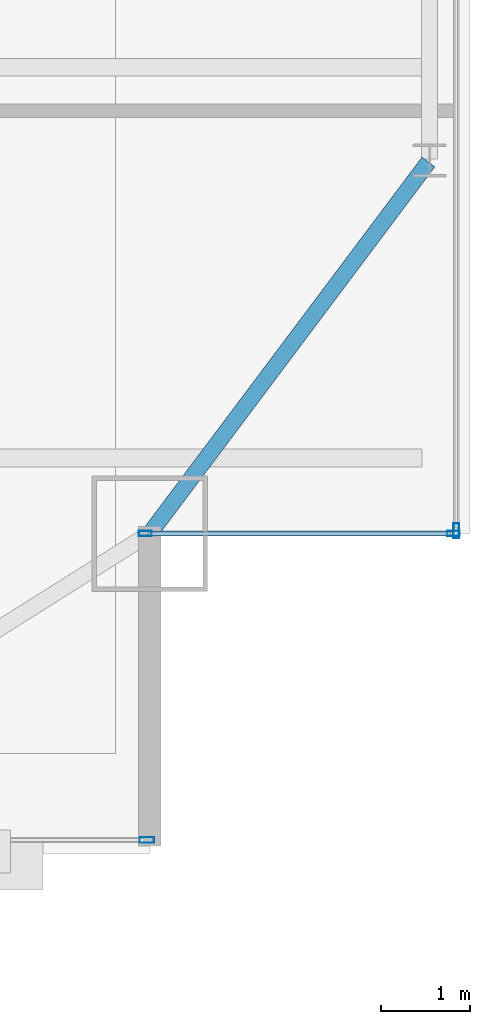
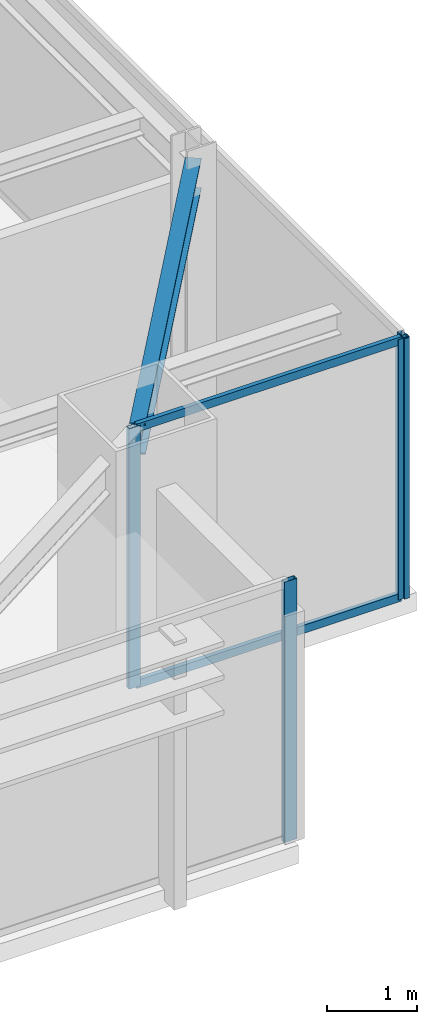
# One storey, part 15 of 30: 6 members, 1 beam, 3 elements without a shape of their own.
"""IFC4 building model written with IfcOpenShell, lengths in metres."""

from ifc_helpers import new_model, si_unit, direction, frame, origin, origin_2d, place, context, subcontext, project, spatial, hollow_rectangle, i_section, extrude, source, transform, mapped, material, layer, layer_set, material_profile, profile_set, type_object, type_shapes, element, aggregate, save


model = new_model("IFC4")

# Units and contexts
model_context = context("Model", 3, precision=1e-05, world=origin(), true_north=direction((0.0, 1.0)))
body_context = subcontext(model_context, "Body", "Model", "MODEL_VIEW")
ifc_project = project(units=[si_unit("LENGTHUNIT", "METRE"), si_unit("AREAUNIT", "SQUARE_METRE"), si_unit("VOLUMEUNIT", "CUBIC_METRE"), si_unit("PLANEANGLEUNIT", "RADIAN"), si_unit("MASSUNIT", "GRAM", prefix="KILO")], contexts=[model_context])

# Site, building, storey
site_placement = place(None, origin())
site = spatial("IfcSite", under=ifc_project, at=site_placement, CompositionType="ELEMENT")
building_placement = place(site_placement, origin())
building = spatial("IfcBuilding", under=site, at=building_placement, Name="Varnel Quay Broadcast Tower", CompositionType="ELEMENT")
storey_placement = place(building_placement, frame((0.0, 0.0, 168.60009765625)))
storey = spatial("IfcBuildingStorey", under=building, at=storey_placement, Name="L41", CompositionType="ELEMENT", Elevation=168.60009765625)

# Beam
ifc_material_1 = material(Name="Structural Steel CSA G40.21 350W", Category="steel")
ifc_material_profile_1 = material_profile(ifc_material_1, i_section(OverallWidth=0.180908203125, OverallDepth=0.4169921875, WebThickness=0.010986328125, FlangeThickness=0.018310546875, FilletRadius=0.011962890625, at=origin_2d()), Name="W410X85")
ifc_profile_set_1 = profile_set([ifc_material_profile_1], Name="Structural Steel CSA G40.21 350W")
beam_type = type_object("IfcBeamType", Name="Beam_W410X85", PredefinedType="SPANDREL", material=ifc_profile_set_1)
shared_shape_1 = source(origin(), body_context, "Body", "SweptSolid", [
    extrude(i_section(OverallWidth=0.180908203125, OverallDepth=0.4169921875, WebThickness=0.010986328125, FlangeThickness=0.018310546875, FilletRadius=0.011962890625, at=origin_2d()), origin(), (0.0, 0.0, 1.0), 5.2099609375),
])
type_shapes(beam_type, [shared_shape_1])
beam_placement = place(storey_placement, frame((57.412109375, 10.81591796875, 3.34130859375), z_axis=(0.6, 0.8, 0.0), x_axis=(-0.8, 0.6, 0.0)))
element("IfcBeam", 1, at=beam_placement, inside=storey, type_object=beam_type, Name="L41 East Spandrel MC-SE-TC-E1", PredefinedType="SPANDREL", context=body_context, shape_type="MappedRepresentation", body=[
    mapped(shared_shape_1, transform((0.0, 0.0, 0.0), x_axis=(1.0, 0.0, 0.0), y_axis=(0.0, 1.0, 0.0), z_axis=(0.0, 0.0, 1.0), scale=1.0)),
])

# Curtain wall, members
ifc_material_2 = material(Name="Anodised Bronze Aluminium 6063-T6", Category="aluminium")
ifc_layer_1 = layer(ifc_material_2, 0.18994140625, Name="Anodised Bronze Aluminium 6063-T6")
ifc_layer_set_1 = layer_set([ifc_layer_1], Name="Anodised Bronze Aluminium 6063-T6")
curtain_wall_type_1 = type_object("IfcCurtainWallType", Name="CW_NotchCorner", PredefinedType="NOTDEFINED", material=ifc_layer_set_1)
curtain_wall_1_placement = place(storey_placement, origin())
curtain_wall_1 = element("IfcCurtainWall", 2, at=curtain_wall_1_placement, inside=storey, type_object=curtain_wall_type_1, Name="L41 SE Notch Curtain Wall", PredefinedType="NOTDEFINED")
ifc_material_profile_2 = material_profile(ifc_material_2, hollow_rectangle(XDim=0.054931640625, YDim=0.110107421875, WallThickness=0.0029296875, at=origin_2d()), Name="ALU55X110X3")
ifc_profile_set_2 = profile_set([ifc_material_profile_2], Name="Anodised Bronze Aluminium 6063-T6")
member_type_1 = type_object("IfcMemberType", Name="Tran_CWS-04", PredefinedType="USERDEFINED", material=ifc_profile_set_2)
shared_shape_2 = source(origin(), body_context, "Body", "SweptSolid", [
    extrude(hollow_rectangle(XDim=0.054931640625, YDim=0.110107421875, WallThickness=0.0029296875, at=origin_2d()), origin(), (0.0, 0.0, 1.0), 3.41015625),
])
type_shapes(member_type_1, [shared_shape_2])
member_1_placement = place(storey_placement, frame((57.3798828125, 10.800048828125, 0.02734375), z_axis=(1.0, 0.0, 0.0), x_axis=(0.0, 1.0, 0.0)))
member_1 = element("IfcMember", 3, at=member_1_placement, type_object=member_type_1, Name="CWS-04 transom 1.1", ObjectType="TRANSOM", PredefinedType="USERDEFINED", context=body_context, shape_type="MappedRepresentation", body=[
    mapped(shared_shape_2, transform((0.0, 0.0, 0.0), x_axis=(1.0, 0.0, 0.0), y_axis=(0.0, 1.0, 0.0), z_axis=(0.0, 0.0, 1.0), scale=1.0)),
])
member_2_placement = place(storey_placement, frame((57.3798828125, 10.800048828125, 3.5224609375), z_axis=(1.0, 0.0, 0.0), x_axis=(0.0, 1.0, 0.0)))
member_2 = element("IfcMember", 4, at=member_2_placement, type_object=member_type_1, Name="CWS-04 transom 1.2", ObjectType="TRANSOM", PredefinedType="USERDEFINED", context=body_context, shape_type="MappedRepresentation", body=[
    mapped(shared_shape_2, transform((0.0, 0.0, 0.0), x_axis=(1.0, 0.0, 0.0), y_axis=(0.0, 1.0, 0.0), z_axis=(0.0, 0.0, 1.0), scale=1.0)),
])
ifc_material_profile_3 = material_profile(ifc_material_2, hollow_rectangle(XDim=0.06005859375, YDim=0.14501953125, WallThickness=0.00341796875, at=origin_2d()), Name="ALU60X145X3.5")
ifc_profile_set_3 = profile_set([ifc_material_profile_3], Name="Anodised Bronze Aluminium 6063-T6")
member_type_2 = type_object("IfcMemberType", Name="Mull_CWS-04", PredefinedType="MULLION", material=ifc_profile_set_3)
shared_shape_3 = source(origin(), body_context, "Body", "SweptSolid", [
    extrude(hollow_rectangle(XDim=0.06005859375, YDim=0.14501953125, WallThickness=0.00341796875, at=origin_2d()), origin(), (0.0, 0.0, 1.0), 3.5498046875),
])
type_shapes(member_type_2, [shared_shape_3])
member_3_placement = place(storey_placement, frame((57.35009765625, 10.800048828125, 0.0), z_axis=(0.0, 0.0, 1.0), x_axis=(0.0, 1.0, 0.0)))
member_3 = element("IfcMember", 5, at=member_3_placement, type_object=member_type_2, Name="CWS-04 mullion 1", PredefinedType="MULLION", context=body_context, shape_type="MappedRepresentation", body=[
    mapped(shared_shape_3, transform((0.0, 0.0, 0.0), x_axis=(1.0, 0.0, 0.0), y_axis=(0.0, 1.0, 0.0), z_axis=(0.0, 0.0, 1.0), scale=1.0)),
])
member_4_placement = place(storey_placement, frame((60.820068359375, 10.800048828125, 0.0), z_axis=(0.0, 0.0, 1.0), x_axis=(0.0, 1.0, 0.0)))
member_4 = element("IfcMember", 6, at=member_4_placement, type_object=member_type_2, Name="CWS-04 mullion 2", PredefinedType="MULLION", context=body_context, shape_type="MappedRepresentation", body=[
    mapped(shared_shape_3, transform((0.0, 0.0, 0.0), x_axis=(1.0, 0.0, 0.0), y_axis=(0.0, 1.0, 0.0), z_axis=(0.0, 0.0, 1.0), scale=1.0)),
])
aggregate(curtain_wall_1, [member_3, member_4, member_1, member_2])

# Curtain wall, member
ifc_layer_2 = layer(ifc_material_2, 0.18994140625, Name="Anodised Bronze Aluminium 6063-T6")
ifc_layer_set_2 = layer_set([ifc_layer_2], Name="Anodised Bronze Aluminium 6063-T6")
curtain_wall_type_2 = type_object("IfcCurtainWallType", Name="CW_UpperTower", PredefinedType="NOTDEFINED", material=ifc_layer_set_2)
curtain_wall_2_placement = place(storey_placement, origin())
curtain_wall_2 = element("IfcCurtainWall", 7, at=curtain_wall_2_placement, inside=storey, type_object=curtain_wall_type_2, Name="L41 South Unitised Curtain Wall 3", PredefinedType="NOTDEFINED")
ifc_material_profile_4 = material_profile(ifc_material_2, hollow_rectangle(XDim=0.06494140625, YDim=0.1650390625, WallThickness=0.00341796875, at=origin_2d()), Name="ALU65X165X3.5")
ifc_profile_set_4 = profile_set([ifc_material_profile_4], Name="Anodised Bronze Aluminium 6063-T6")
member_type_3 = type_object("IfcMemberType", Name="Mull_CWS-03", PredefinedType="MULLION", material=ifc_profile_set_4)
shared_shape_4 = source(origin(), body_context, "Body", "SweptSolid", [
    extrude(hollow_rectangle(XDim=0.06494140625, YDim=0.1650390625, WallThickness=0.00341796875, at=origin_2d()), origin(), (0.0, 0.0, 1.0), 3.5498046875),
])
type_shapes(member_type_3, [shared_shape_4])
member_5_placement = place(storey_placement, frame((57.367431640625, 7.35009765625, 0.0), z_axis=(0.0, 0.0, 1.0), x_axis=(0.0, 1.0, 0.0)))
member_5 = element("IfcMember", 8, at=member_5_placement, type_object=member_type_3, Name="CWS-03 mullion 2", PredefinedType="MULLION", context=body_context, shape_type="MappedRepresentation", body=[
    mapped(shared_shape_4, transform((0.0, 0.0, 0.0), x_axis=(1.0, 0.0, 0.0), y_axis=(0.0, 1.0, 0.0), z_axis=(0.0, 0.0, 1.0), scale=1.0)),
])
aggregate(curtain_wall_2, [member_5])

curtain_wall_3_placement = place(storey_placement, origin())
curtain_wall_3 = element("IfcCurtainWall", 9, at=curtain_wall_3_placement, inside=storey, type_object=curtain_wall_type_2, Name="L41 East Unitised Curtain Wall", PredefinedType="NOTDEFINED")
member_6_placement = place(storey_placement, frame((60.85009765625, 10.83251953125, 0.0), z_axis=(0.0, 0.0, 1.0), x_axis=(-1.0, 0.0, 0.0)))
member_6 = element("IfcMember", 10, at=member_6_placement, type_object=member_type_3, Name="CWS-03 mullion 1", PredefinedType="MULLION", context=body_context, shape_type="MappedRepresentation", body=[
    mapped(shared_shape_4, transform((0.0, 0.0, 0.0), x_axis=(1.0, 0.0, 0.0), y_axis=(0.0, 1.0, 0.0), z_axis=(0.0, 0.0, 1.0), scale=1.0)),
])
aggregate(curtain_wall_3, [member_6])

save(model, "model.ifc")
